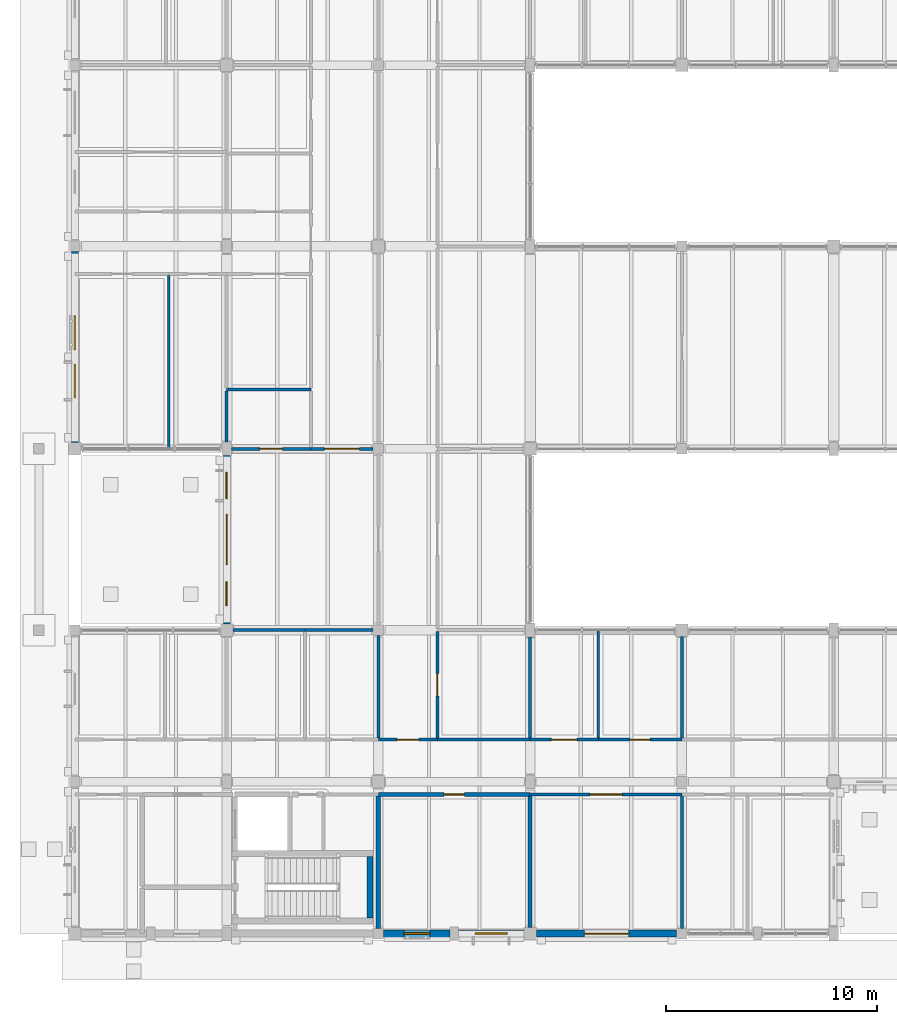
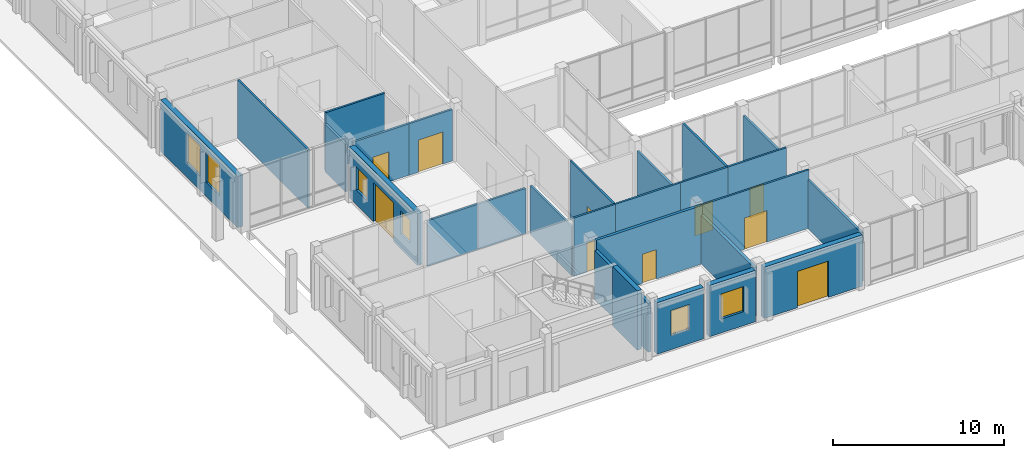
# One storey, part 70 of 104: 27 walls, 10 doors, 6 windows, 16 openings.
"""IFC4 building model written with IfcOpenShell, lengths in metres."""

from ifc_helpers import new_model, si_unit, direction, frame, frame_2d, origin, place, context, subcontext, project, spatial, rectangle, extrude, material, layer, layer_set, type_object, element, fill, save


model = new_model("IFC4")

# Units and contexts
model_context = context("Model", 3, precision=1e-05, world=origin(), true_north=direction((0.0, 1.0)))
body_context = subcontext(model_context, "Body", "Model", "MODEL_VIEW")
ifc_project = project(units=[si_unit("LENGTHUNIT", "METRE"), si_unit("AREAUNIT", "SQUARE_METRE"), si_unit("VOLUMEUNIT", "CUBIC_METRE"), si_unit("PLANEANGLEUNIT", "RADIAN"), si_unit("MASSUNIT", "GRAM", prefix="KILO")], contexts=[model_context])

# Site, building, storey
site_placement = place(None, origin())
site = spatial("IfcSite", under=ifc_project, at=site_placement, CompositionType="ELEMENT")
building_placement = place(site_placement, origin())
building = spatial("IfcBuilding", under=site, at=building_placement, Name="Hawrajan Terrace Health Centre", CompositionType="ELEMENT")
storey_placement = place(building_placement, origin())
storey = spatial("IfcBuildingStorey", under=building, at=storey_placement, Name="L00", CompositionType="ELEMENT", Elevation=0.0)

# Walls
ifc_material_1 = material(Name="Gypsum board on acoustic stud framing")
ifc_layer_1 = layer(ifc_material_1, 0.139892578125)
ifc_layer_set_1 = layer_set([ifc_layer_1], Name="Gypsum board on acoustic stud framing")
wall_type_1 = type_object("IfcWallType", Name="ClinicalAcousticWall_140", PredefinedType="PARTITIONING", material=ifc_layer_set_1)
wall_1_placement = place(storey_placement, frame((9.056884765625, 27.199951171875, 0.0), z_axis=(0.0, 0.0, 1.0), x_axis=(0.0, 1.0, 0.0)))
element("IfcWall", 1, at=wall_1_placement, inside=storey, type_object=wall_type_1, Name="Interior wall IW-L00-0219", PredefinedType="PARTITIONING", context=body_context, shape_type="SweptSolid", body=[
    extrude(rectangle(XDim=8.22998046875, YDim=0.139892578125, at=frame_2d((4.114990234375, 0.0))), origin(), (0.0, 0.0, 1.0), 4.179931640625),
])
wall_2_placement = place(storey_placement, frame((12.10009765625, 18.60009765625, 0.0), z_axis=(0.0, 0.0, 1.0), x_axis=(1.0, 0.0, 0.0)))
element("IfcWall", 2, at=wall_2_placement, inside=storey, type_object=wall_type_1, Name="Interior wall IW-L00-0223", PredefinedType="PARTITIONING", context=body_context, shape_type="SweptSolid", body=[
    extrude(rectangle(XDim=3.421875, YDim=0.139892578125, at=frame_2d((1.7109375, 0.0))), origin(), (0.0, 0.0, 1.0), 3.25),
])
wall_3_placement = place(storey_placement, frame((11.800048828125, 27.52490234375, 0.0), z_axis=(0.0, 0.0, 1.0), x_axis=(0.0, 1.0, 0.0)))
element("IfcWall", 3, at=wall_3_placement, inside=storey, type_object=wall_type_1, Name="Interior wall IW-L00-0224", PredefinedType="PARTITIONING", context=body_context, shape_type="SweptSolid", body=[
    extrude(rectangle(XDim=2.41015625, YDim=0.139892578125, at=frame_2d((1.205078125, 0.0))), origin(), (0.0, 0.0, 1.0), 3.39990234375),
])

# Wall, opening, door
wall_4_placement = place(storey_placement, frame((12.02490234375, 27.199951171875, 0.0), z_axis=(0.0, 0.0, 1.0), x_axis=(1.0, 0.0, 0.0)))
wall_4 = element("IfcWall", 4, at=wall_4_placement, inside=storey, type_object=wall_type_1, Name="Interior wall IW-L00-0225", PredefinedType="PARTITIONING", context=body_context, shape_type="SweptSolid", body=[
    extrude(rectangle(XDim=3.775146484375, YDim=0.139892578125, at=frame_2d((1.8876953125, 0.0))), origin(), (0.0, 0.0, 1.0), 3.679931640625),
])
opening_1_placement = place(wall_4_placement, frame((1.357421875, 0.0, 0.0)))
opening_1 = element("IfcOpeningElement", 5, at=opening_1_placement, cuts=wall_4, Name="Opening D-L00-160", PredefinedType="OPENING", context=body_context, shape_type="SweptSolid", body=[
    extrude(rectangle(XDim=1.06005859375, YDim=2.14990234375, at=frame_2d((0.530029296875, 1.074951171875))), frame((0.0, 0.079833984375, 0.0), z_axis=(0.0, -1.0, 0.0), x_axis=(1.0, 0.0, 0.0)), (0.0, 0.0, 1.0), 0.159912109375),
])
ifc_material_2 = material(Name="Hardwood acoustic clinical door leaf and frame", Category="wood")
door_type_1 = type_object("IfcDoorType", Name="MentalHealthDoor_1060x2150", OperationType="NOTDEFINED", PredefinedType="DOOR", material=ifc_material_2)
door_1_placement = place(opening_1_placement, origin())
door_1 = element("IfcDoor", 6, at=door_1_placement, inside=storey, type_object=door_type_1, Name="Interior door D-L00-160", OperationType="SINGLE_SWING_RIGHT", OverallHeight=2.14990234375, OverallWidth=1.06005859375, PredefinedType="DOOR", context=body_context, shape_type="SweptSolid", body=[
    extrude(rectangle(XDim=1.06005859375, YDim=2.14990234375, at=frame_2d((0.530029296875, 1.074951171875))), frame((0.0, 0.02490234375, 0.0), z_axis=(0.0, -1.0, 0.0), x_axis=(1.0, 0.0, 0.0)), (0.0, 0.0, 1.0), 0.050048828125),
])
fill(opening_1, door_1)

# Walls
wall_5_placement = place(storey_placement, frame((11.800048828125, 30.0048828125, 0.0), z_axis=(0.0, 0.0, 1.0), x_axis=(1.0, 0.0, 0.0)))
element("IfcWall", 7, at=wall_5_placement, inside=storey, type_object=wall_type_1, Name="Interior wall IW-L00-0227", PredefinedType="PARTITIONING", context=body_context, shape_type="SweptSolid", body=[
    extrude(rectangle(XDim=4.0, YDim=0.139892578125, at=frame_2d((2.0, 0.0))), origin(), (0.0, 0.0, 1.0), 4.179931640625),
])
wall_6_placement = place(storey_placement, frame((15.52197265625, 18.60009765625, 0.0), z_axis=(0.0, 0.0, 1.0), x_axis=(1.0, 0.0, 0.0)))
element("IfcWall", 8, at=wall_6_placement, inside=storey, type_object=wall_type_1, Name="Interior wall IW-L00-0240", PredefinedType="PARTITIONING", context=body_context, shape_type="SweptSolid", body=[
    extrude(rectangle(XDim=3.22802734375, YDim=0.139892578125, at=frame_2d((1.614013671875, 0.0))), origin(), (0.0, 0.0, 1.0), 3.25),
])

# Wall, opening, door
wall_7_placement = place(storey_placement, frame((15.800048828125, 27.199951171875, 0.0), z_axis=(0.0, 0.0, 1.0), x_axis=(1.0, 0.0, 0.0)))
wall_7 = element("IfcWall", 9, at=wall_7_placement, inside=storey, type_object=wall_type_1, Name="Interior wall IW-L00-0242", PredefinedType="PARTITIONING", context=body_context, shape_type="SweptSolid", body=[
    extrude(rectangle(XDim=2.949951171875, YDim=0.139892578125, at=frame_2d((1.47509765625, 0.0))), origin(), (0.0, 0.0, 1.0), 3.679931640625),
])
opening_2_placement = place(wall_7_placement, frame((0.64501953125, 0.0, 0.0)))
opening_2 = element("IfcOpeningElement", 10, at=opening_2_placement, cuts=wall_7, Name="Opening D-L00-114", PredefinedType="OPENING", context=body_context, shape_type="SweptSolid", body=[
    extrude(rectangle(XDim=1.659912109375, YDim=2.300048828125, at=frame_2d((0.830078125, 1.14990234375))), frame((0.0, 0.079833984375, 0.0), z_axis=(0.0, -1.0, 0.0), x_axis=(1.0, 0.0, 0.0)), (0.0, 0.0, 1.0), 0.159912109375),
])
door_type_2 = type_object("IfcDoorType", Name="RehabGymDoor_1660x2300", OperationType="DOUBLE_DOOR_SINGLE_SWING", PredefinedType="DOOR", material=ifc_material_2)
door_2_placement = place(opening_2_placement, origin())
door_2 = element("IfcDoor", 11, at=door_2_placement, inside=storey, type_object=door_type_2, Name="Interior door D-L00-114", OperationType="DOUBLE_DOOR_SINGLE_SWING", OverallHeight=2.300048828125, OverallWidth=1.659912109375, PredefinedType="DOOR", context=body_context, shape_type="SweptSolid", body=[
    extrude(rectangle(XDim=1.659912109375, YDim=2.300048828125, at=frame_2d((0.830078125, 1.14990234375))), frame((0.0, 0.02490234375, 0.0), z_axis=(0.0, -1.0, 0.0), x_axis=(1.0, 0.0, 0.0)), (0.0, 0.0, 1.0), 0.050048828125),
])
fill(opening_2, door_2)

# Wall
wall_8_placement = place(storey_placement, frame((19.0, 13.469970703125, 0.0), z_axis=(0.0, 0.0, 1.0), x_axis=(0.0, 1.0, 0.0)))
element("IfcWall", 12, at=wall_8_placement, inside=storey, type_object=wall_type_1, Name="Interior wall IW-L00-0250", PredefinedType="PARTITIONING", context=body_context, shape_type="SweptSolid", body=[
    extrude(rectangle(XDim=4.880126953125, YDim=0.139892578125, at=frame_2d((2.43994140625, 0.0))), origin(), (0.0, 0.0, 1.0), 3.5),
])

# Wall, opening, door
wall_9_placement = place(storey_placement, frame((19.0, 13.39990234375, 0.0), z_axis=(0.0, 0.0, 1.0), x_axis=(1.0, 0.0, 0.0)))
wall_9 = element("IfcWall", 13, at=wall_9_placement, inside=storey, type_object=wall_type_1, Name="Interior wall IW-L00-0251", PredefinedType="PARTITIONING", context=body_context, shape_type="SweptSolid", body=[
    extrude(rectangle(XDim=2.800048828125, YDim=0.139892578125, at=frame_2d((1.39990234375, 0.0))), origin(), (0.0, 0.0, 1.0), 4.179931640625),
])
opening_3_placement = place(wall_9_placement, frame((0.8798828125, 0.0, 0.0)))
opening_3 = element("IfcOpeningElement", 14, at=opening_3_placement, cuts=wall_9, Name="Opening D-L00-115", PredefinedType="OPENING", context=body_context, shape_type="SweptSolid", body=[
    extrude(rectangle(XDim=1.0400390625, YDim=2.10009765625, at=frame_2d((0.52001953125, 1.050048828125))), frame((0.0, 0.079833984375, 0.0), z_axis=(0.0, -1.0, 0.0), x_axis=(1.0, 0.0, 0.0)), (0.0, 0.0, 1.0), 0.159912109375),
])
door_type_3 = type_object("IfcDoorType", Name="ConsultDoor_1040x2100", OperationType="NOTDEFINED", PredefinedType="DOOR", material=ifc_material_2)
door_3_placement = place(opening_3_placement, origin())
door_3 = element("IfcDoor", 15, at=door_3_placement, inside=storey, type_object=door_type_3, Name="Interior door D-L00-115", OperationType="SINGLE_SWING_LEFT", OverallHeight=2.10009765625, OverallWidth=1.0400390625, PredefinedType="DOOR", context=body_context, shape_type="SweptSolid", body=[
    extrude(rectangle(XDim=1.0400390625, YDim=2.10009765625, at=frame_2d((0.52001953125, 1.050048828125))), frame((0.0, 0.02490234375, 0.0), z_axis=(0.0, -1.0, 0.0), x_axis=(1.0, 0.0, 0.0)), (0.0, 0.0, 1.0), 0.050048828125),
])
fill(opening_3, door_3)

wall_10_placement = place(storey_placement, frame((21.800048828125, 13.469970703125, 0.0), z_axis=(0.0, 0.0, 1.0), x_axis=(0.0, 1.0, 0.0)))
wall_10 = element("IfcWall", 16, at=wall_10_placement, inside=storey, type_object=wall_type_1, Name="Interior wall IW-L00-0258", PredefinedType="PARTITIONING", context=body_context, shape_type="SweptSolid", body=[
    extrude(rectangle(XDim=5.06005859375, YDim=0.139892578125, at=frame_2d((2.530029296875, 0.0))), origin(), (0.0, 0.0, 1.0), 4.179931640625),
])
opening_4_placement = place(wall_10_placement, frame((2.0, 0.0, 0.0)))
opening_4 = element("IfcOpeningElement", 17, at=opening_4_placement, cuts=wall_10, Name="Opening D-L00-210", PredefinedType="OPENING", context=body_context, shape_type="SweptSolid", body=[
    extrude(rectangle(XDim=1.06005859375, YDim=2.14990234375, at=frame_2d((0.530029296875, 1.074951171875))), frame((0.0, 0.079833984375, 0.0), z_axis=(0.0, -1.0, 0.0), x_axis=(1.0, 0.0, 0.0)), (0.0, 0.0, 1.0), 0.159912109375),
])
door_4_placement = place(opening_4_placement, origin())
door_4 = element("IfcDoor", 18, at=door_4_placement, inside=storey, type_object=door_type_1, Name="Interior door D-L00-210", OperationType="SINGLE_SWING_RIGHT", OverallHeight=2.14990234375, OverallWidth=1.06005859375, PredefinedType="DOOR", context=body_context, shape_type="SweptSolid", body=[
    extrude(rectangle(XDim=1.06005859375, YDim=2.14990234375, at=frame_2d((0.530029296875, 1.074951171875))), frame((0.0, 0.02490234375, 0.0), z_axis=(0.0, -1.0, 0.0), x_axis=(1.0, 0.0, 0.0)), (0.0, 0.0, 1.0), 0.050048828125),
])
fill(opening_4, door_4)

# Wall
wall_11_placement = place(storey_placement, frame((21.800048828125, 13.39990234375, 0.0), z_axis=(0.0, 0.0, 1.0), x_axis=(1.0, 0.0, 0.0)))
element("IfcWall", 19, at=wall_11_placement, inside=storey, type_object=wall_type_1, Name="Interior wall IW-L00-0259", PredefinedType="PARTITIONING", context=body_context, shape_type="SweptSolid", body=[
    extrude(rectangle(XDim=4.39990234375, YDim=0.139892578125, at=frame_2d((2.199951171875, 0.0))), origin(), (0.0, 0.0, 1.0), 4.179931640625),
])

# Wall, opening, door
wall_12_placement = place(storey_placement, frame((26.199951171875, 10.800048828125, 0.0), z_axis=(0.0, 0.0, 1.0), x_axis=(1.0, 0.0, 0.0)))
wall_12 = element("IfcWall", 20, at=wall_12_placement, inside=storey, type_object=wall_type_1, Name="Interior wall IW-L00-0271", PredefinedType="PARTITIONING", context=body_context, shape_type="SweptSolid", body=[
    extrude(rectangle(XDim=7.199951171875, YDim=0.139892578125, at=frame_2d((3.60009765625, 0.0))), origin(), (0.0, 0.0, 1.0), 4.179931640625),
])
opening_5_placement = place(wall_12_placement, frame((2.830078125, 0.0, 0.0)))
opening_5 = element("IfcOpeningElement", 21, at=opening_5_placement, cuts=wall_12, Name="Opening D-L00-211", PredefinedType="OPENING", context=body_context, shape_type="SweptSolid", body=[
    extrude(rectangle(XDim=1.5400390625, YDim=2.25, at=frame_2d((0.77001953125, 1.125))), frame((0.0, 0.079833984375, 0.0), z_axis=(0.0, -1.0, 0.0), x_axis=(1.0, 0.0, 0.0)), (0.0, 0.0, 1.0), 0.159912109375),
])
door_type_4 = type_object("IfcDoorType", Name="RecoveryBayDoor_1540x2250", OperationType="DOUBLE_DOOR_SINGLE_SWING", PredefinedType="DOOR", material=ifc_material_2)
door_5_placement = place(opening_5_placement, origin())
door_5 = element("IfcDoor", 22, at=door_5_placement, inside=storey, type_object=door_type_4, Name="Interior door D-L00-211", OperationType="DOUBLE_DOOR_SINGLE_SWING", OverallHeight=2.25, OverallWidth=1.5400390625, PredefinedType="DOOR", context=body_context, shape_type="SweptSolid", body=[
    extrude(rectangle(XDim=1.5400390625, YDim=2.25, at=frame_2d((0.77001953125, 1.125))), frame((0.0, 0.02490234375, 0.0), z_axis=(0.0, -1.0, 0.0), x_axis=(1.0, 0.0, 0.0)), (0.0, 0.0, 1.0), 0.050048828125),
])
fill(opening_5, door_5)

# Wall
wall_13_placement = place(storey_placement, frame((26.199951171875, 13.469970703125, 0.0), z_axis=(0.0, 0.0, 1.0), x_axis=(0.0, 1.0, 0.0)))
element("IfcWall", 23, at=wall_13_placement, inside=storey, type_object=wall_type_1, Name="Interior wall IW-L00-0272", PredefinedType="PARTITIONING", context=body_context, shape_type="SweptSolid", body=[
    extrude(rectangle(XDim=4.804931640625, YDim=0.139892578125, at=frame_2d((2.40234375, 0.0))), origin(), (0.0, 0.0, 1.0), 3.5),
])

# Wall, opening, door
wall_14_placement = place(storey_placement, frame((26.199951171875, 13.39990234375, 0.0), z_axis=(0.0, 0.0, 1.0), x_axis=(1.0, 0.0, 0.0)))
wall_14 = element("IfcWall", 24, at=wall_14_placement, inside=storey, type_object=wall_type_1, Name="Interior wall IW-L00-0273", PredefinedType="PARTITIONING", context=body_context, shape_type="SweptSolid", body=[
    extrude(rectangle(XDim=3.233154296875, YDim=0.139892578125, at=frame_2d((1.61669921875, 0.0))), origin(), (0.0, 0.0, 1.0), 4.179931640625),
])
opening_6_placement = place(wall_14_placement, frame((1.006591796875, 0.0, 0.0)))
opening_6 = element("IfcOpeningElement", 25, at=opening_6_placement, cuts=wall_14, Name="Opening D-L00-212", PredefinedType="OPENING", context=body_context, shape_type="SweptSolid", body=[
    extrude(rectangle(XDim=1.219970703125, YDim=2.10009765625, at=frame_2d((0.60986328125, 1.050048828125))), frame((0.0, 0.079833984375, 0.0), z_axis=(0.0, -1.0, 0.0), x_axis=(1.0, 0.0, 0.0)), (0.0, 0.0, 1.0), 0.159912109375),
])
door_type_5 = type_object("IfcDoorType", Name="ConsultDoor_1220x2100", OperationType="NOTDEFINED", PredefinedType="DOOR", material=ifc_material_2)
door_6_placement = place(opening_6_placement, origin())
door_6 = element("IfcDoor", 26, at=door_6_placement, inside=storey, type_object=door_type_5, Name="Interior door D-L00-212", OperationType="SINGLE_SWING_RIGHT", OverallHeight=2.10009765625, OverallWidth=1.219970703125, PredefinedType="DOOR", context=body_context, shape_type="SweptSolid", body=[
    extrude(rectangle(XDim=1.219970703125, YDim=2.10009765625, at=frame_2d((0.60986328125, 1.050048828125))), frame((0.0, 0.02490234375, 0.0), z_axis=(0.0, -1.0, 0.0), x_axis=(1.0, 0.0, 0.0)), (0.0, 0.0, 1.0), 0.050048828125),
])
fill(opening_6, door_6)

# Wall
wall_15_placement = place(storey_placement, frame((29.43310546875, 13.469970703125, 0.0), z_axis=(0.0, 0.0, 1.0), x_axis=(0.0, 1.0, 0.0)))
element("IfcWall", 27, at=wall_15_placement, inside=storey, type_object=wall_type_1, Name="Interior wall IW-L00-0282", PredefinedType="PARTITIONING", context=body_context, shape_type="SweptSolid", body=[
    extrude(rectangle(XDim=5.130126953125, YDim=0.139892578125, at=frame_2d((2.56494140625, 0.0))), origin(), (0.0, 0.0, 1.0), 4.179931640625),
])

# Wall, opening, door
wall_16_placement = place(storey_placement, frame((29.43310546875, 13.39990234375, 0.0), z_axis=(0.0, 0.0, 1.0), x_axis=(1.0, 0.0, 0.0)))
wall_16 = element("IfcWall", 28, at=wall_16_placement, inside=storey, type_object=wall_type_1, Name="Interior wall IW-L00-0283", PredefinedType="PARTITIONING", context=body_context, shape_type="SweptSolid", body=[
    extrude(rectangle(XDim=3.966796875, YDim=0.139892578125, at=frame_2d((1.9833984375, 0.0))), origin(), (0.0, 0.0, 1.0), 4.179931640625),
])
opening_7_placement = place(wall_16_placement, frame((1.508544921875, 0.0, 0.0)))
opening_7 = element("IfcOpeningElement", 29, at=opening_7_placement, cuts=wall_16, Name="Opening D-L00-213", PredefinedType="OPENING", context=body_context, shape_type="SweptSolid", body=[
    extrude(rectangle(XDim=0.949951171875, YDim=2.10009765625, at=frame_2d((0.47509765625, 1.050048828125))), frame((0.0, 0.079833984375, 0.0), z_axis=(0.0, -1.0, 0.0), x_axis=(1.0, 0.0, 0.0)), (0.0, 0.0, 1.0), 0.159912109375),
])
door_type_6 = type_object("IfcDoorType", Name="AccessibleWCDoor_950x2100", OperationType="NOTDEFINED", PredefinedType="DOOR", material=ifc_material_2)
door_7_placement = place(opening_7_placement, origin())
door_7 = element("IfcDoor", 30, at=door_7_placement, inside=storey, type_object=door_type_6, Name="Interior door D-L00-213", OperationType="SINGLE_SWING_LEFT", OverallHeight=2.10009765625, OverallWidth=0.949951171875, PredefinedType="DOOR", context=body_context, shape_type="SweptSolid", body=[
    extrude(rectangle(XDim=0.949951171875, YDim=2.10009765625, at=frame_2d((0.47509765625, 1.050048828125))), frame((0.0, 0.02490234375, 0.0), z_axis=(0.0, -1.0, 0.0), x_axis=(1.0, 0.0, 0.0)), (0.0, 0.0, 1.0), 0.050048828125),
])
fill(opening_7, door_7)

# Walls
wall_17_placement = place(storey_placement, frame((33.39990234375, 4.449951171875, 0.0), z_axis=(0.0, 0.0, 1.0), x_axis=(0.0, 1.0, 0.0)))
element("IfcWall", 31, at=wall_17_placement, inside=storey, type_object=wall_type_1, Name="Interior wall IW-L00-0284", PredefinedType="PARTITIONING", context=body_context, shape_type="SweptSolid", body=[
    extrude(rectangle(XDim=6.280029296875, YDim=0.139892578125, at=frame_2d((3.14013671875, 0.0))), origin(), (0.0, 0.0, 1.0), 3.5),
])
wall_18_placement = place(storey_placement, frame((33.39990234375, 13.469970703125, 0.0), z_axis=(0.0, 0.0, 1.0), x_axis=(0.0, 1.0, 0.0)))
element("IfcWall", 32, at=wall_18_placement, inside=storey, type_object=wall_type_1, Name="Interior wall IW-L00-0286", PredefinedType="PARTITIONING", context=body_context, shape_type="SweptSolid", body=[
    extrude(rectangle(XDim=4.830078125, YDim=0.139892578125, at=frame_2d((2.4150390625, 0.0))), origin(), (0.0, 0.0, 1.0), 3.5),
])

# Wall, openings, windows
ifc_material_3 = material(Name="Precast concrete C40/50", Category="concrete")
ifc_layer_2 = layer(ifc_material_3, 0.340087890625)
ifc_layer_set_2 = layer_set([ifc_layer_2], Name="Precast concrete C40/50")
wall_type_2 = type_object("IfcWallType", Name="CoralAshlarWall_340", PredefinedType="SOLIDWALL", material=ifc_layer_set_2)
wall_19_placement = place(storey_placement, frame((4.60009765625, 27.5, 0.0), z_axis=(0.0, 0.0, 1.0), x_axis=(0.0, 1.0, 0.0)))
wall_19 = element("IfcWall", 33, at=wall_19_placement, inside=storey, type_object=wall_type_2, Name="Exterior wall EW-L00-V00-03-1", PredefinedType="SOLIDWALL", context=body_context, shape_type="SweptSolid", body=[
    extrude(rectangle(XDim=9.050048828125, YDim=0.340087890625, at=frame_2d((4.52490234375, 0.0))), origin(), (0.0, 0.0, 1.0), 3.679931640625),
])
opening_8_placement = place(wall_19_placement, frame((2.1201171875, 0.0, 1.0)))
opening_8 = element("IfcOpeningElement", 34, at=opening_8_placement, cuts=wall_19, Name="Opening W-L00-005", PredefinedType="OPENING", context=body_context, shape_type="SweptSolid", body=[
    extrude(rectangle(XDim=1.60009765625, YDim=2.199951171875, at=frame_2d((0.800048828125, 1.10009765625))), frame((0.0, 0.179931640625, 0.0), z_axis=(0.0, -1.0, 0.0), x_axis=(1.0, 0.0, 0.0)), (0.0, 0.0, 1.0), 0.360107421875),
])
opening_9_placement = place(wall_19_placement, frame((4.39990234375, 0.0, 1.0)))
opening_9 = element("IfcOpeningElement", 35, at=opening_9_placement, cuts=wall_19, Name="Opening W-L00-006", PredefinedType="OPENING", context=body_context, shape_type="SweptSolid", body=[
    extrude(rectangle(XDim=1.60009765625, YDim=2.199951171875, at=frame_2d((0.800048828125, 1.10009765625))), frame((0.0, 0.179931640625, 0.0), z_axis=(0.0, -1.0, 0.0), x_axis=(1.0, 0.0, 0.0)), (0.0, 0.0, 1.0), 0.360107421875),
])
ifc_material_4 = material(Name="Anodized bronze frame with double low-E glazing", Category="glass")
window_type_1 = type_object("IfcWindowType", Name="FacadeWindow_1600x2200", PartitioningType="DOUBLE_PANEL_VERTICAL", PredefinedType="WINDOW", material=ifc_material_4)
window_1_placement = place(opening_8_placement, origin())
window_1 = element("IfcWindow", 36, at=window_1_placement, inside=storey, type_object=window_type_1, Name="Window W-L00-005", OverallHeight=2.199951171875, OverallWidth=1.60009765625, PartitioningType="DOUBLE_PANEL_VERTICAL", PredefinedType="WINDOW", context=body_context, shape_type="SweptSolid", body=[
    extrude(rectangle(XDim=1.60009765625, YDim=2.199951171875, at=frame_2d((0.800048828125, 1.10009765625))), frame((0.0, 0.030029296875, 0.0), z_axis=(0.0, -1.0, 0.0), x_axis=(1.0, 0.0, 0.0)), (0.0, 0.0, 1.0), 0.06005859375),
])
fill(opening_8, window_1)
window_2_placement = place(opening_9_placement, origin())
window_2 = element("IfcWindow", 37, at=window_2_placement, inside=storey, type_object=window_type_1, Name="Window W-L00-006", OverallHeight=2.199951171875, OverallWidth=1.60009765625, PartitioningType="DOUBLE_PANEL_VERTICAL", PredefinedType="WINDOW", context=body_context, shape_type="SweptSolid", body=[
    extrude(rectangle(XDim=1.60009765625, YDim=2.199951171875, at=frame_2d((0.800048828125, 1.10009765625))), frame((0.0, 0.030029296875, 0.0), z_axis=(0.0, -1.0, 0.0), x_axis=(1.0, 0.0, 0.0)), (0.0, 0.0, 1.0), 0.06005859375),
])
fill(opening_9, window_2)

# Wall, openings, windows, door
wall_20_placement = place(storey_placement, frame((11.800048828125, 18.89990234375, 0.0), z_axis=(0.0, 0.0, 1.0), x_axis=(0.0, 1.0, 0.0)))
wall_20 = element("IfcWall", 38, at=wall_20_placement, inside=storey, type_object=wall_type_2, Name="Exterior wall EW-L00-V01-02-1", PredefinedType="SOLIDWALL", context=body_context, shape_type="SweptSolid", body=[
    extrude(rectangle(XDim=7.97509765625, YDim=0.340087890625, at=frame_2d((3.987548828125, 0.0))), origin(), (0.0, 0.0, 1.0), 3.679931640625),
])
opening_10_placement = place(wall_20_placement, frame((2.78759765625, 0.0, 0.0)))
opening_10 = element("IfcOpeningElement", 39, at=opening_10_placement, cuts=wall_20, Name="Opening D-L00-E003", PredefinedType="OPENING", context=body_context, shape_type="SweptSolid", body=[
    extrude(rectangle(XDim=2.39990234375, YDim=2.800048828125, at=frame_2d((1.199951171875, 1.39990234375))), frame((0.0, 0.179931640625, 0.0), z_axis=(0.0, -1.0, 0.0), x_axis=(1.0, 0.0, 0.0)), (0.0, 0.0, 1.0), 0.360107421875),
])
opening_11_placement = place(wall_20_placement, frame((0.86376953125, 0.0, 1.050048828125)))
opening_11 = element("IfcOpeningElement", 40, at=opening_11_placement, cuts=wall_20, Name="Opening W-L00-013", PredefinedType="OPENING", context=body_context, shape_type="SweptSolid", body=[
    extrude(rectangle(XDim=1.1201171875, YDim=1.64990234375, at=frame_2d((0.56005859375, 0.824951171875))), frame((0.0, 0.179931640625, 0.0), z_axis=(0.0, -1.0, 0.0), x_axis=(1.0, 0.0, 0.0)), (0.0, 0.0, 1.0), 0.360107421875),
])
opening_12_placement = place(wall_20_placement, frame((5.921142578125, 0.0, 1.050048828125)))
opening_12 = element("IfcOpeningElement", 41, at=opening_12_placement, cuts=wall_20, Name="Opening W-L00-014", PredefinedType="OPENING", context=body_context, shape_type="SweptSolid", body=[
    extrude(rectangle(XDim=1.260009765625, YDim=1.64990234375, at=frame_2d((0.6298828125, 0.824951171875))), frame((0.0, 0.179931640625, 0.0), z_axis=(0.0, -1.0, 0.0), x_axis=(1.0, 0.0, 0.0)), (0.0, 0.0, 1.0), 0.360107421875),
])
window_type_2 = type_object("IfcWindowType", Name="FacadeWindow_1120x1650", PartitioningType="SINGLE_PANEL", PredefinedType="WINDOW", material=ifc_material_4)
window_3_placement = place(opening_11_placement, origin())
window_3 = element("IfcWindow", 42, at=window_3_placement, inside=storey, type_object=window_type_2, Name="Window W-L00-013", OverallHeight=1.64990234375, OverallWidth=1.1201171875, PartitioningType="SINGLE_PANEL", PredefinedType="WINDOW", context=body_context, shape_type="SweptSolid", body=[
    extrude(rectangle(XDim=1.1201171875, YDim=1.64990234375, at=frame_2d((0.56005859375, 0.824951171875))), frame((0.0, 0.030029296875, 0.0), z_axis=(0.0, -1.0, 0.0), x_axis=(1.0, 0.0, 0.0)), (0.0, 0.0, 1.0), 0.06005859375),
])
fill(opening_11, window_3)
window_type_3 = type_object("IfcWindowType", Name="FacadeWindow_1260x1650", PartitioningType="SINGLE_PANEL", PredefinedType="WINDOW", material=ifc_material_4)
window_4_placement = place(opening_12_placement, origin())
window_4 = element("IfcWindow", 43, at=window_4_placement, inside=storey, type_object=window_type_3, Name="Window W-L00-014", OverallHeight=1.64990234375, OverallWidth=1.260009765625, PartitioningType="SINGLE_PANEL", PredefinedType="WINDOW", context=body_context, shape_type="SweptSolid", body=[
    extrude(rectangle(XDim=1.260009765625, YDim=1.64990234375, at=frame_2d((0.6298828125, 0.824951171875))), frame((0.0, 0.030029296875, 0.0), z_axis=(0.0, -1.0, 0.0), x_axis=(1.0, 0.0, 0.0)), (0.0, 0.0, 1.0), 0.06005859375),
])
fill(opening_12, window_4)
ifc_material_5 = material(Name="Anodized bronze thermally broken fire-rated glazed door")
door_type_7 = type_object("IfcDoorType", Name="MainEntranceDoor_2400x2800", OperationType="DOUBLE_DOOR_SINGLE_SWING", PredefinedType="DOOR", material=ifc_material_5)
door_8_placement = place(opening_10_placement, origin())
door_8 = element("IfcDoor", 44, at=door_8_placement, inside=storey, type_object=door_type_7, Name="Main Entrance Final Exit Door D-L00-E003", OperationType="DOUBLE_DOOR_SINGLE_SWING", OverallHeight=2.800048828125, OverallWidth=2.39990234375, PredefinedType="DOOR", context=body_context, shape_type="SweptSolid", body=[
    extrude(rectangle(XDim=2.39990234375, YDim=2.800048828125, at=frame_2d((1.199951171875, 1.39990234375))), frame((0.0, 0.02490234375, 0.0), z_axis=(0.0, -1.0, 0.0), x_axis=(1.0, 0.0, 0.0)), (0.0, 0.0, 1.0), 0.050048828125),
])
fill(opening_10, door_8)

# Wall, opening, door
wall_21_placement = place(storey_placement, frame((26.5, 4.199951171875, 0.0), z_axis=(0.0, 0.0, 1.0), x_axis=(1.0, 0.0, 0.0)))
wall_21 = element("IfcWall", 45, at=wall_21_placement, inside=storey, type_object=wall_type_2, Name="Exterior wall EW-L00-H03-00-1", PredefinedType="SOLIDWALL", context=body_context, shape_type="SweptSolid", body=[
    extrude(rectangle(XDim=6.64990234375, YDim=0.340087890625, at=frame_2d((3.324951171875, 0.0))), origin(), (0.0, 0.0, 1.0), 3.679931640625),
])
opening_13_placement = place(wall_21_placement, frame((2.27490234375, 0.0, 0.0)))
opening_13 = element("IfcOpeningElement", 46, at=opening_13_placement, cuts=wall_21, Name="Opening D-L00-E004", PredefinedType="OPENING", context=body_context, shape_type="SweptSolid", body=[
    extrude(rectangle(XDim=2.10009765625, YDim=2.60009765625, at=frame_2d((1.050048828125, 1.300048828125))), frame((0.0, 0.179931640625, 0.0), z_axis=(0.0, -1.0, 0.0), x_axis=(1.0, 0.0, 0.0)), (0.0, 0.0, 1.0), 0.360107421875),
])
door_type_8 = type_object("IfcDoorType", Name="AmbulanceTransferDoor_2100x2600", OperationType="DOUBLE_DOOR_SINGLE_SWING", PredefinedType="DOOR", material=ifc_material_5)
door_9_placement = place(opening_13_placement, frame((2.10009765625, 0.0, 0.0), z_axis=(0.0, 0.0, 1.0), x_axis=(-1.0, 0.0, 0.0)))
door_9 = element("IfcDoor", 47, at=door_9_placement, inside=storey, type_object=door_type_8, Name="Ambulance Admission Final Exit D-L00-E004", OperationType="DOUBLE_DOOR_SINGLE_SWING", OverallHeight=2.60009765625, OverallWidth=2.10009765625, PredefinedType="DOOR", context=body_context, shape_type="SweptSolid", body=[
    extrude(rectangle(XDim=2.10009765625, YDim=2.60009765625, at=frame_2d((1.050048828125, 1.300048828125))), frame((0.0, 0.02490234375, 0.0), z_axis=(0.0, -1.0, 0.0), x_axis=(1.0, 0.0, 0.0)), (0.0, 0.0, 1.0), 0.050048828125),
])
fill(opening_13, door_9)

# Wall, opening, window
ifc_layer_3 = layer(ifc_material_3, 0.360107421875)
ifc_layer_set_3 = layer_set([ifc_layer_3], Name="Precast concrete C40/50")
wall_type_3 = type_object("IfcWallType", Name="CoralPodiumWall_360", PredefinedType="SOLIDWALL", material=ifc_layer_set_3)
wall_22_placement = place(storey_placement, frame((19.25, 4.199951171875, 0.0), z_axis=(0.0, 0.0, 1.0), x_axis=(1.0, 0.0, 0.0)))
wall_22 = element("IfcWall", 48, at=wall_22_placement, inside=storey, type_object=wall_type_3, Name="Exterior wall EW-L00-H02-00-1", PredefinedType="SOLIDWALL", context=body_context, shape_type="SweptSolid", body=[
    extrude(rectangle(XDim=3.14990234375, YDim=0.360107421875, at=frame_2d((1.574951171875, 0.0))), origin(), (0.0, 0.0, 1.0), 3.679931640625),
])
opening_14_placement = place(wall_22_placement, frame((0.955078125, 0.0, 1.0)))
opening_14 = element("IfcOpeningElement", 49, at=opening_14_placement, cuts=wall_22, Name="Opening W-L00-015", PredefinedType="OPENING", context=body_context, shape_type="SweptSolid", body=[
    extrude(rectangle(XDim=1.239990234375, YDim=1.800048828125, at=frame_2d((0.6201171875, 0.89990234375))), frame((0.0, 0.18994140625, 0.0), z_axis=(0.0, -1.0, 0.0), x_axis=(1.0, 0.0, 0.0)), (0.0, 0.0, 1.0), 0.380126953125),
])
window_type_4 = type_object("IfcWindowType", Name="FacadeWindow_1240x1800", PartitioningType="SINGLE_PANEL", PredefinedType="WINDOW", material=ifc_material_4)
window_5_placement = place(opening_14_placement, origin())
window_5 = element("IfcWindow", 50, at=window_5_placement, inside=storey, type_object=window_type_4, Name="Window W-L00-015", OverallHeight=1.800048828125, OverallWidth=1.239990234375, PartitioningType="SINGLE_PANEL", PredefinedType="WINDOW", context=body_context, shape_type="SweptSolid", body=[
    extrude(rectangle(XDim=1.239990234375, YDim=1.800048828125, at=frame_2d((0.6201171875, 0.89990234375))), frame((0.0, 0.030029296875, 0.0), z_axis=(0.0, -1.0, 0.0), x_axis=(1.0, 0.0, 0.0)), (0.0, 0.0, 1.0), 0.06005859375),
])
fill(opening_14, window_5)

wall_23_placement = place(storey_placement, frame((22.800048828125, 4.199951171875, 0.0), z_axis=(0.0, 0.0, 1.0), x_axis=(1.0, 0.0, 0.0)))
wall_23 = element("IfcWall", 51, at=wall_23_placement, inside=storey, type_object=wall_type_3, Name="Exterior wall EW-L00-H02-00-2", PredefinedType="SOLIDWALL", context=body_context, shape_type="SweptSolid", body=[
    extrude(rectangle(XDim=3.099853515625, YDim=0.360107421875, at=frame_2d((1.5498046875, 0.0))), origin(), (0.0, 0.0, 1.0), 3.679931640625),
])
opening_15_placement = place(wall_23_placement, frame((0.7900390625, 0.0, 1.0)))
opening_15 = element("IfcOpeningElement", 52, at=opening_15_placement, cuts=wall_23, Name="Opening W-L00-016", PredefinedType="OPENING", context=body_context, shape_type="SweptSolid", body=[
    extrude(rectangle(XDim=1.52001953125, YDim=1.800048828125, at=frame_2d((0.760009765625, 0.89990234375))), frame((0.0, 0.18994140625, 0.0), z_axis=(0.0, -1.0, 0.0), x_axis=(1.0, 0.0, 0.0)), (0.0, 0.0, 1.0), 0.380126953125),
])
window_type_5 = type_object("IfcWindowType", Name="FacadeWindow_1520x1800", PartitioningType="DOUBLE_PANEL_VERTICAL", PredefinedType="WINDOW", material=ifc_material_4)
window_6_placement = place(opening_15_placement, origin())
window_6 = element("IfcWindow", 53, at=window_6_placement, inside=storey, type_object=window_type_5, Name="Window W-L00-016", OverallHeight=1.800048828125, OverallWidth=1.52001953125, PartitioningType="DOUBLE_PANEL_VERTICAL", PredefinedType="WINDOW", context=body_context, shape_type="SweptSolid", body=[
    extrude(rectangle(XDim=1.52001953125, YDim=1.800048828125, at=frame_2d((0.760009765625, 0.89990234375))), frame((0.0, 0.030029296875, 0.0), z_axis=(0.0, -1.0, 0.0), x_axis=(1.0, 0.0, 0.0)), (0.0, 0.0, 1.0), 0.06005859375),
])
fill(opening_15, window_6)

# Wall
ifc_material_6 = material(Name="Concrete C40/50", Category="concrete")
ifc_layer_4 = layer(ifc_material_6, 0.300048828125)
ifc_layer_set_4 = layer_set([ifc_layer_4], Name="Concrete C40/50")
wall_type_4 = type_object("IfcWallType", Name="CoreShearWall_RC300", PredefinedType="SHEAR", material=ifc_layer_set_4)
wall_24_placement = place(storey_placement, frame((18.60009765625, 4.949951171875, 0.0), z_axis=(0.0, 0.0, 1.0), x_axis=(0.0, 1.0, 0.0)))
element("IfcWall", 54, at=wall_24_placement, inside=storey, type_object=wall_type_4, Name="Core shear wall SW-C3-L00-E", PredefinedType="SHEAR", context=body_context, shape_type="SweptSolid", body=[
    extrude(rectangle(XDim=2.900146484375, YDim=0.300048828125, at=frame_2d((1.4501953125, 0.0))), origin(), (0.0, 0.0, 1.0), 4.25),
])

# Wall, opening, door
ifc_material_7 = material(Name="Cross-laminated timber CLT C24", Category="wood")
ifc_layer_5 = layer(ifc_material_7, 0.199951171875)
ifc_layer_set_5 = layer_set([ifc_layer_5], Name="Cross-laminated timber CLT C24")
wall_type_5 = type_object("IfcWallType", Name="FireCompartmentWall_200", PredefinedType="PARTITIONING", material=ifc_layer_set_5)
wall_25_placement = place(storey_placement, frame((19.0, 10.800048828125, 0.0), z_axis=(0.0, 0.0, 1.0), x_axis=(1.0, 0.0, 0.0)))
wall_25 = element("IfcWall", 55, at=wall_25_placement, inside=storey, type_object=wall_type_5, Name="Interior wall IW-L00-0249", PredefinedType="PARTITIONING", context=body_context, shape_type="SweptSolid", body=[
    extrude(rectangle(XDim=7.199951171875, YDim=0.199951171875, at=frame_2d((3.60009765625, 0.0))), origin(), (0.0, 0.0, 1.0), 4.179931640625),
])
opening_16_placement = place(wall_25_placement, frame((3.1201171875, 0.0, 0.0)))
opening_16 = element("IfcOpeningElement", 56, at=opening_16_placement, cuts=wall_25, Name="Opening D-L00-148", PredefinedType="OPENING", context=body_context, shape_type="SweptSolid", body=[
    extrude(rectangle(XDim=0.9599609375, YDim=2.10009765625, at=frame_2d((0.47998046875, 1.050048828125))), frame((0.0, 0.10986328125, 0.0), z_axis=(0.0, -1.0, 0.0), x_axis=(1.0, 0.0, 0.0)), (0.0, 0.0, 1.0), 0.219970703125),
])
ifc_material_8 = material(Name="Timber-veneered acoustic fire-resisting door assembly", Category="wood")
door_type_9 = type_object("IfcDoorType", Name="ClinicalFireDoor_960x2100", OperationType="NOTDEFINED", PredefinedType="DOOR", material=ifc_material_8)
door_10_placement = place(opening_16_placement, origin())
door_10 = element("IfcDoor", 57, at=door_10_placement, inside=storey, type_object=door_type_9, Name="Interior door D-L00-148", OperationType="SINGLE_SWING_RIGHT", OverallHeight=2.10009765625, OverallWidth=0.9599609375, PredefinedType="DOOR", context=body_context, shape_type="SweptSolid", body=[
    extrude(rectangle(XDim=0.9599609375, YDim=2.10009765625, at=frame_2d((0.47998046875, 1.050048828125))), frame((0.0, 0.02490234375, 0.0), z_axis=(0.0, -1.0, 0.0), x_axis=(1.0, 0.0, 0.0)), (0.0, 0.0, 1.0), 0.050048828125),
])
fill(opening_16, door_10)

# Walls
wall_26_placement = place(storey_placement, frame((26.199951171875, 4.5, 0.0), z_axis=(0.0, 0.0, 1.0), x_axis=(0.0, 1.0, 0.0)))
element("IfcWall", 58, at=wall_26_placement, inside=storey, type_object=wall_type_5, Name="Interior wall IW-L00-0270", PredefinedType="PARTITIONING", context=body_context, shape_type="SweptSolid", body=[
    extrude(rectangle(XDim=6.22998046875, YDim=0.199951171875, at=frame_2d((3.114990234375, 0.0))), origin(), (0.0, 0.0, 1.0), 3.5),
])
wall_27_placement = place(storey_placement, frame((19.0, 4.449951171875, 0.0), z_axis=(0.0, 0.0, 1.0), x_axis=(0.0, 1.0, 0.0)))
element("IfcWall", 59, at=wall_27_placement, inside=storey, type_object=wall_type_5, Name="Interior wall IW-L00-0496", PredefinedType="PARTITIONING", context=body_context, shape_type="SweptSolid", body=[
    extrude(rectangle(XDim=6.280029296875, YDim=0.199951171875, at=frame_2d((3.14013671875, 0.0))), origin(), (0.0, 0.0, 1.0), 3.5),
])

save(model, "model.ifc")
